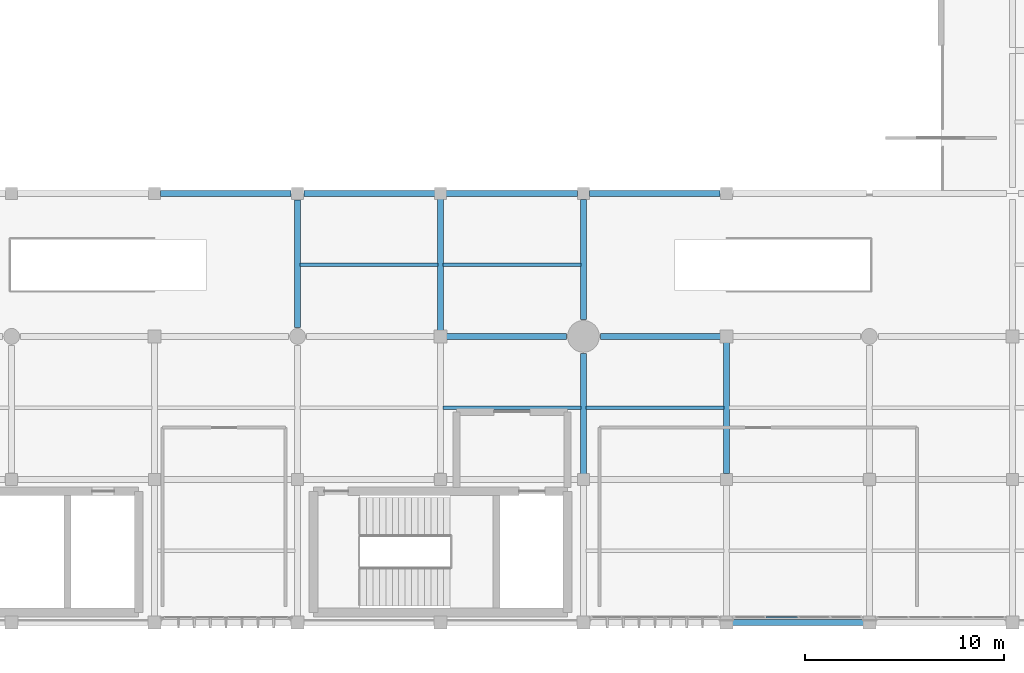
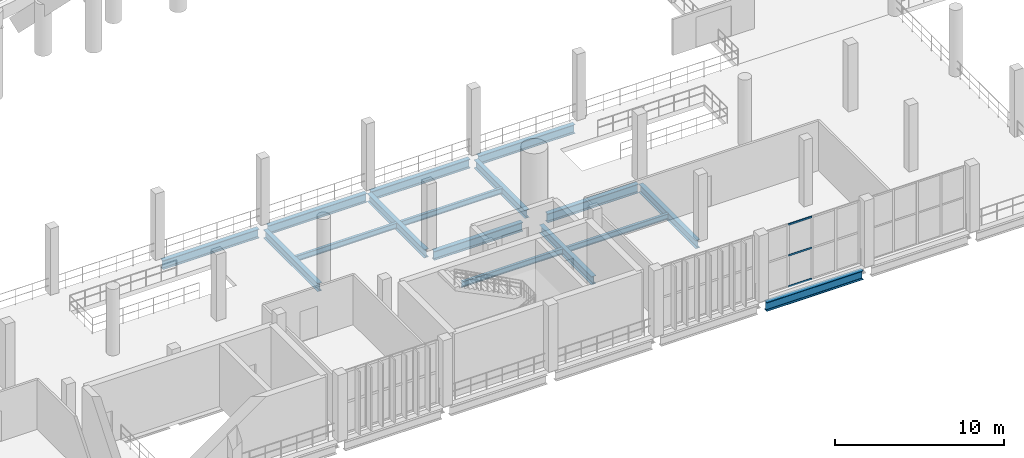
# One storey, part 23 of 105: 16 beams, 3 members, 1 element without a shape of its own.
"""IFC4 building model written with IfcOpenShell, lengths in metres."""

from ifc_helpers import new_model, si_unit, direction, frame, origin, origin_2d, place, context, subcontext, project, spatial, hollow_rectangle, i_section, extrude, material, material_profile, profile_set, type_object, element, aggregate, save


model = new_model("IFC4")

# Units and contexts
model_context = context("Model", 3, precision=1e-05, world=origin(), true_north=direction((0.0, 1.0)))
body_context = subcontext(model_context, "Body", "Model", "MODEL_VIEW")
ifc_project = project(units=[si_unit("LENGTHUNIT", "METRE"), si_unit("AREAUNIT", "SQUARE_METRE"), si_unit("VOLUMEUNIT", "CUBIC_METRE"), si_unit("PLANEANGLEUNIT", "RADIAN"), si_unit("MASSUNIT", "GRAM", prefix="KILO")], contexts=[model_context])

# Site, building, storey
site_placement = place(None, origin())
site = spatial("IfcSite", under=ifc_project, at=site_placement, CompositionType="ELEMENT")
building_placement = place(site_placement, origin())
building = spatial("IfcBuilding", under=site, at=building_placement, Name="Qandorah Velis Arena", CompositionType="ELEMENT")
storey_placement = place(building_placement, frame((0.0, 0.0, 13.800048828125)))
storey = spatial("IfcBuildingStorey", under=building, at=storey_placement, Name="L03", CompositionType="ELEMENT", Elevation=13.800048828125)

# Curtain wall, members
ifc_material_1 = material(Name="Solar-control low-E double glazing", Category="glass")
curtain_wall_type = type_object("IfcCurtainWallType", Name="ARC-CW-SYS23", PredefinedType="USERDEFINED", material=ifc_material_1)
curtain_wall_placement = place(storey_placement, origin())
curtain_wall = element("IfcCurtainWall", 1, at=curtain_wall_placement, inside=storey, type_object=curtain_wall_type, Name="Unitised curtain wall L03-071", ObjectType="UNITISED CURTAIN WALL", PredefinedType="USERDEFINED")
ifc_material_2 = material(Name="Champagne-bronze anodized aluminium 6063-T6", Category="aluminium")
ifc_material_profile_1 = material_profile(ifc_material_2, hollow_rectangle(XDim=0.06005859375, YDim=0.1201171875, WallThickness=0.0029296875, at=origin_2d()), Name="ALU TRANSOM 60x120")
ifc_profile_set_1 = profile_set([ifc_material_profile_1], Name="Champagne-bronze anodized aluminium 6063-T6")
member_type = type_object("IfcMemberType", Name="ARC-CWT-120", PredefinedType="USERDEFINED", material=ifc_profile_set_1)
member_1_placement = place(storey_placement, frame((95.593017578125, 0.25, 0.030029296875), z_axis=(1.0, 0.0, 0.0), x_axis=(0.0, 1.0, 0.0)))
member_1 = element("IfcMember", 2, at=member_1_placement, type_object=member_type, Name="CW23 transom 2.1", ObjectType="TRANSOM", PredefinedType="USERDEFINED", context=body_context, shape_type="SweptSolid", body=[
    extrude(hollow_rectangle(XDim=0.06005859375, YDim=0.1201171875, WallThickness=0.0029296875, at=origin_2d()), origin(), (0.0, 0.0, 1.0), 1.5888671875),
])
member_2_placement = place(storey_placement, frame((95.593017578125, 0.25, 2.264892578125), z_axis=(1.0, 0.0, 0.0), x_axis=(0.0, 1.0, 0.0)))
member_2 = element("IfcMember", 3, at=member_2_placement, type_object=member_type, Name="CW23 transom 2.2", ObjectType="TRANSOM", PredefinedType="USERDEFINED", context=body_context, shape_type="SweptSolid", body=[
    extrude(hollow_rectangle(XDim=0.06005859375, YDim=0.1201171875, WallThickness=0.0029296875, at=origin_2d()), origin(), (0.0, 0.0, 1.0), 1.5888671875),
])
member_3_placement = place(storey_placement, frame((95.593017578125, 0.25, 4.5), z_axis=(1.0, 0.0, 0.0), x_axis=(0.0, 1.0, 0.0)))
member_3 = element("IfcMember", 4, at=member_3_placement, type_object=member_type, Name="CW23 transom 2.3", ObjectType="TRANSOM", PredefinedType="USERDEFINED", context=body_context, shape_type="SweptSolid", body=[
    extrude(hollow_rectangle(XDim=0.06005859375, YDim=0.1201171875, WallThickness=0.0029296875, at=origin_2d()), origin(), (0.0, 0.0, 1.0), 1.5888671875),
])
aggregate(curtain_wall, [member_1, member_2, member_3])

# Beams
ifc_material_3 = material(Name="Steel S355", Category="steel")
ifc_material_profile_2 = material_profile(ifc_material_3, i_section(OverallWidth=0.300048828125, OverallDepth=0.60009765625, WebThickness=0.015380859375, FlangeThickness=0.030029296875, FilletRadius=0.027099609375, at=origin_2d()), Name="HEB 600")
ifc_profile_set_2 = profile_set([ifc_material_profile_2], Name="Steel S355")
beam_type_1 = type_object("IfcBeamType", Name="STR-BM-HEB600", PredefinedType="BEAM", material=ifc_profile_set_2)
beam_1_placement = place(storey_placement, frame((72.0, 14.85009765625, -0.6201171875), z_axis=(0.0, 1.0, 0.0), x_axis=(-1.0, 0.0, 0.0)))
element("IfcBeam", 5, at=beam_1_placement, inside=storey, type_object=beam_type_1, Name="Primary floor girder L03 Y-260", PredefinedType="BEAM", context=body_context, shape_type="SweptSolid", body=[
    extrude(i_section(OverallWidth=0.300048828125, OverallDepth=0.60009765625, WebThickness=0.015380859375, FlangeThickness=0.030029296875, FilletRadius=0.027099609375, at=origin_2d()), origin(), (0.0, 0.0, 1.0), 6.4248046875),
])
beam_2_placement = place(storey_placement, frame((79.199951171875, 14.699951171875, -0.6201171875), z_axis=(0.0, 1.0, 0.0), x_axis=(-1.0, 0.0, 0.0)))
element("IfcBeam", 6, at=beam_2_placement, inside=storey, type_object=beam_type_1, Name="Primary floor girder L03 Y-265", PredefinedType="BEAM", context=body_context, shape_type="SweptSolid", body=[
    extrude(i_section(OverallWidth=0.300048828125, OverallDepth=0.60009765625, WebThickness=0.015380859375, FlangeThickness=0.030029296875, FilletRadius=0.027099609375, at=origin_2d()), origin(), (0.0, 0.0, 1.0), 6.75),
])
beam_3_placement = place(storey_placement, frame((86.39990234375, 7.35009765625, -0.6201171875), z_axis=(0.0, 1.0, 0.0), x_axis=(-1.0, 0.0, 0.0)))
element("IfcBeam", 7, at=beam_3_placement, inside=storey, type_object=beam_type_1, Name="Primary floor girder L03 Y-269", PredefinedType="BEAM", context=body_context, shape_type="SweptSolid", body=[
    extrude(i_section(OverallWidth=0.300048828125, OverallDepth=0.60009765625, WebThickness=0.015380859375, FlangeThickness=0.030029296875, FilletRadius=0.027099609375, at=origin_2d()), origin(), (0.0, 0.0, 1.0), 6.199951171875),
])
beam_4_placement = place(storey_placement, frame((86.39990234375, 15.25, -0.6201171875), z_axis=(0.0, 1.0, 0.0), x_axis=(-1.0, 0.0, 0.0)))
element("IfcBeam", 8, at=beam_4_placement, inside=storey, type_object=beam_type_1, Name="Primary floor girder L03 Y-270", PredefinedType="BEAM", context=body_context, shape_type="SweptSolid", body=[
    extrude(i_section(OverallWidth=0.300048828125, OverallDepth=0.60009765625, WebThickness=0.015380859375, FlangeThickness=0.030029296875, FilletRadius=0.027099609375, at=origin_2d()), origin(), (0.0, 0.0, 1.0), 6.050048828125),
])
beam_5_placement = place(storey_placement, frame((93.60009765625, 7.5, -0.6201171875), z_axis=(0.0, 1.0, 0.0), x_axis=(-1.0, 0.0, 0.0)))
element("IfcBeam", 9, at=beam_5_placement, inside=storey, type_object=beam_type_1, Name="Primary floor girder L03 Y-275", PredefinedType="BEAM", context=body_context, shape_type="SweptSolid", body=[
    extrude(i_section(OverallWidth=0.300048828125, OverallDepth=0.60009765625, WebThickness=0.015380859375, FlangeThickness=0.030029296875, FilletRadius=0.027099609375, at=origin_2d()), origin(), (0.0, 0.0, 1.0), 6.75),
])
ifc_material_profile_3 = material_profile(ifc_material_3, i_section(OverallWidth=0.300048828125, OverallDepth=0.64990234375, WebThickness=0.01611328125, FlangeThickness=0.031005859375, FilletRadius=0.027099609375, at=origin_2d()), Name="HEB 650")
ifc_profile_set_3 = profile_set([ifc_material_profile_3], Name="Steel S355")
beam_type_2 = type_object("IfcBeamType", Name="STR-BM-HEB650", PredefinedType="BEAM", material=ifc_profile_set_3)
beam_6_placement = place(storey_placement, frame((93.89990234375, 0.0, -0.64501953125), z_axis=(1.0, 0.0, 0.0), x_axis=(0.0, 1.0, 0.0)))
element("IfcBeam", 10, at=beam_6_placement, inside=storey, type_object=beam_type_2, Name="Primary floor girder L03 X-010", PredefinedType="BEAM", context=body_context, shape_type="SweptSolid", body=[
    extrude(i_section(OverallWidth=0.300048828125, OverallDepth=0.64990234375, WebThickness=0.01611328125, FlangeThickness=0.031005859375, FilletRadius=0.027099609375, at=origin_2d()), origin(), (0.0, 0.0, 1.0), 6.60009765625),
])
beam_7_placement = place(storey_placement, frame((79.5, 14.39990234375, -0.64501953125), z_axis=(1.0, 0.0, 0.0), x_axis=(0.0, 1.0, 0.0)))
element("IfcBeam", 11, at=beam_7_placement, inside=storey, type_object=beam_type_2, Name="Primary floor girder L03 X-036", PredefinedType="BEAM", context=body_context, shape_type="SweptSolid", body=[
    extrude(i_section(OverallWidth=0.300048828125, OverallDepth=0.64990234375, WebThickness=0.01611328125, FlangeThickness=0.031005859375, FilletRadius=0.027099609375, at=origin_2d()), origin(), (0.0, 0.0, 1.0), 6.050048828125),
])
beam_8_placement = place(storey_placement, frame((87.25, 14.39990234375, -0.64501953125), z_axis=(1.0, 0.0, 0.0), x_axis=(0.0, 1.0, 0.0)))
element("IfcBeam", 12, at=beam_8_placement, inside=storey, type_object=beam_type_2, Name="Primary floor girder L03 X-037", PredefinedType="BEAM", context=body_context, shape_type="SweptSolid", body=[
    extrude(i_section(OverallWidth=0.300048828125, OverallDepth=0.64990234375, WebThickness=0.01611328125, FlangeThickness=0.031005859375, FilletRadius=0.027099609375, at=origin_2d()), origin(), (0.0, 0.0, 1.0), 6.199951171875),
])
beam_9_placement = place(storey_placement, frame((65.10009765625, 21.60009765625, -0.64501953125), z_axis=(1.0, 0.0, 0.0), x_axis=(0.0, 1.0, 0.0)))
element("IfcBeam", 13, at=beam_9_placement, inside=storey, type_object=beam_type_2, Name="Primary floor girder L03 X-050", PredefinedType="BEAM", context=body_context, shape_type="SweptSolid", body=[
    extrude(i_section(OverallWidth=0.300048828125, OverallDepth=0.64990234375, WebThickness=0.01611328125, FlangeThickness=0.031005859375, FilletRadius=0.027099609375, at=origin_2d()), origin(), (0.0, 0.0, 1.0), 6.574951171875),
])
beam_10_placement = place(storey_placement, frame((72.324951171875, 21.60009765625, -0.64501953125), z_axis=(1.0, 0.0, 0.0), x_axis=(0.0, 1.0, 0.0)))
element("IfcBeam", 14, at=beam_10_placement, inside=storey, type_object=beam_type_2, Name="Primary floor girder L03 X-051", PredefinedType="BEAM", context=body_context, shape_type="SweptSolid", body=[
    extrude(i_section(OverallWidth=0.300048828125, OverallDepth=0.64990234375, WebThickness=0.01611328125, FlangeThickness=0.031005859375, FilletRadius=0.027099609375, at=origin_2d()), origin(), (0.0, 0.0, 1.0), 6.72509765625),
])
beam_11_placement = place(storey_placement, frame((79.35009765625, 21.60009765625, -0.64501953125), z_axis=(1.0, 0.0, 0.0), x_axis=(0.0, 1.0, 0.0)))
element("IfcBeam", 15, at=beam_11_placement, inside=storey, type_object=beam_type_2, Name="Primary floor girder L03 X-052", PredefinedType="BEAM", context=body_context, shape_type="SweptSolid", body=[
    extrude(i_section(OverallWidth=0.300048828125, OverallDepth=0.64990234375, WebThickness=0.01611328125, FlangeThickness=0.031005859375, FilletRadius=0.027099609375, at=origin_2d()), origin(), (0.0, 0.0, 1.0), 6.75),
])
beam_12_placement = place(storey_placement, frame((86.699951171875, 21.60009765625, -0.64501953125), z_axis=(1.0, 0.0, 0.0), x_axis=(0.0, 1.0, 0.0)))
element("IfcBeam", 16, at=beam_12_placement, inside=storey, type_object=beam_type_2, Name="Primary floor girder L03 X-053", PredefinedType="BEAM", context=body_context, shape_type="SweptSolid", body=[
    extrude(i_section(OverallWidth=0.300048828125, OverallDepth=0.64990234375, WebThickness=0.01611328125, FlangeThickness=0.031005859375, FilletRadius=0.027099609375, at=origin_2d()), origin(), (0.0, 0.0, 1.0), 6.574951171875),
])
ifc_material_profile_4 = material_profile(ifc_material_3, i_section(OverallWidth=0.179931640625, OverallDepth=0.39990234375, WebThickness=0.008544921875, FlangeThickness=0.013427734375, FilletRadius=0.02099609375, at=origin_2d()), Name="IPE 400")
ifc_profile_set_4 = profile_set([ifc_material_profile_4], Name="Steel S355")
beam_type_3 = type_object("IfcBeamType", Name="STR-JST-IPE400", PredefinedType="JOIST", material=ifc_profile_set_4)
for number, where, z_axis, x_axis, name in (
    (17, (72.135009765625, 18.0, -0.52001953125), (1.0, 0.0, 0.0), (0.0, 1.0, 0.0), "Secondary floor joist L03-056"),
    (18, (79.3349609375, 10.800048828125, -0.52001953125), (1.0, 0.0, 0.0), (0.0, 1.0, 0.0), "Secondary floor joist L03-059"),
    (19, (79.3349609375, 18.0, -0.52001953125), (1.0, 0.0, 0.0), (0.0, 1.0, 0.0), "Secondary floor joist L03-060"),
):
    element("IfcBeam", number, at=place(storey_placement, frame(where, z_axis=z_axis, x_axis=x_axis)), inside=storey, type_object=beam_type_3, Name=name, PredefinedType="JOIST", context=body_context, shape_type="SweptSolid", body=[
        extrude(i_section(OverallWidth=0.179931640625, OverallDepth=0.39990234375, WebThickness=0.008544921875, FlangeThickness=0.013427734375, FilletRadius=0.02099609375, at=origin_2d()), origin(), (0.0, 0.0, 1.0), 6.929931640625),
    ])
beam_13_placement = place(storey_placement, frame((86.534912109375, 10.800048828125, -0.52001953125), z_axis=(1.0, 0.0, 0.0), x_axis=(0.0, 1.0, 0.0)))
element("IfcBeam", 20, at=beam_13_placement, inside=storey, type_object=beam_type_3, Name="Secondary floor joist L03-064", PredefinedType="JOIST", context=body_context, shape_type="SweptSolid", body=[
    extrude(i_section(OverallWidth=0.179931640625, OverallDepth=0.39990234375, WebThickness=0.008544921875, FlangeThickness=0.013427734375, FilletRadius=0.02099609375, at=origin_2d()), origin(), (0.0, 0.0, 1.0), 6.93017578125),
])

save(model, "model.ifc")
